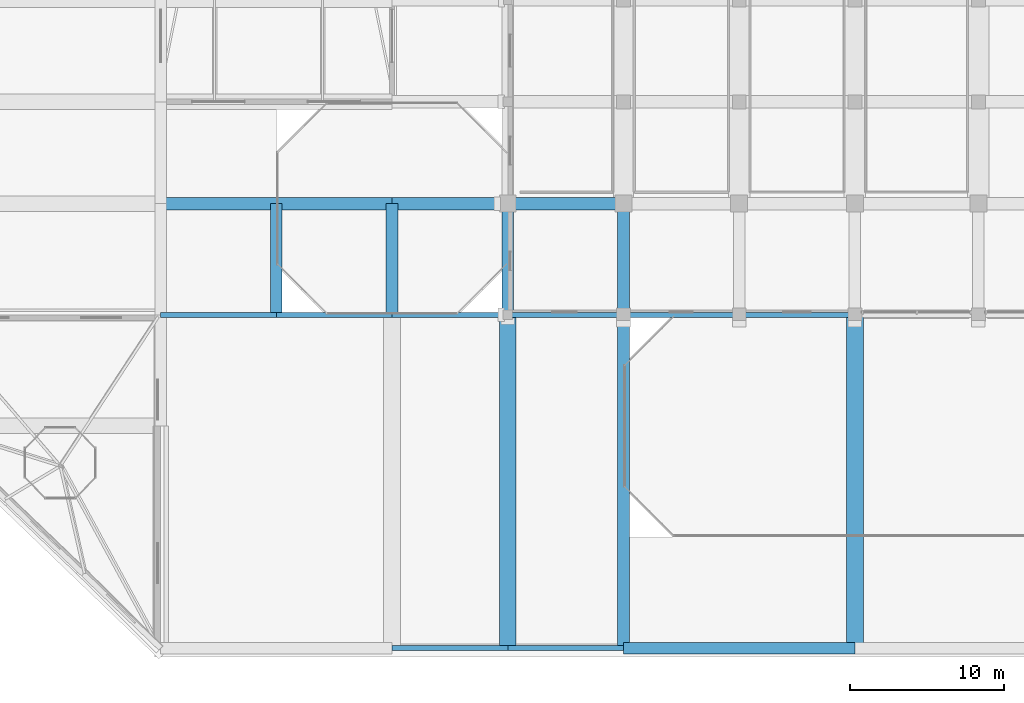
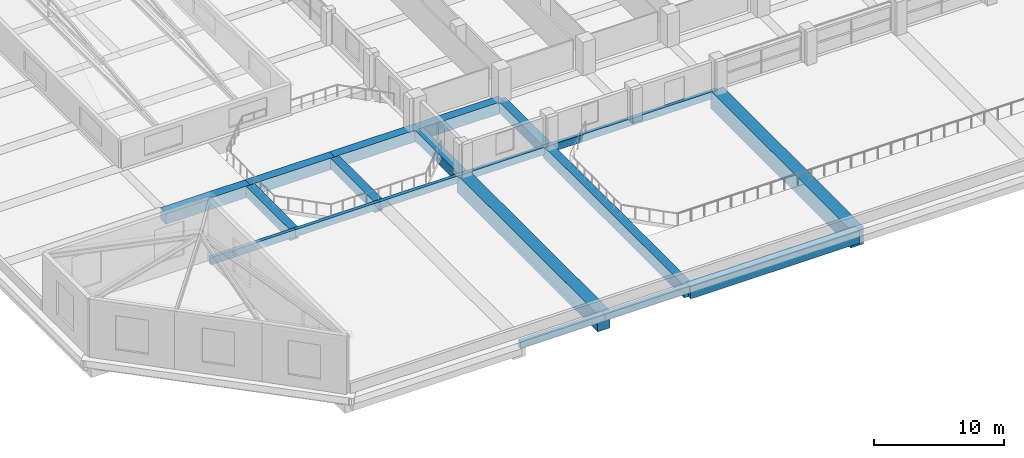
# One storey, part 2 of 49: 20 beams.
"""IFC4 building model written with IfcOpenShell, lengths in metres."""

from ifc_helpers import new_model, si_unit, direction, frame, origin, origin_2d, place, context, subcontext, project, spatial, rectangle, extrude, material, material_profile, profile_set, type_object, element, save


model = new_model("IFC4")

# Units and contexts
model_context = context("Model", 3, precision=1e-05, world=origin(), true_north=direction((0.0, 1.0)))
body_context = subcontext(model_context, "Body", "Model", "MODEL_VIEW")
ifc_project = project(units=[si_unit("LENGTHUNIT", "METRE"), si_unit("AREAUNIT", "SQUARE_METRE"), si_unit("VOLUMEUNIT", "CUBIC_METRE"), si_unit("PLANEANGLEUNIT", "RADIAN"), si_unit("MASSUNIT", "GRAM", prefix="KILO")], contexts=[model_context])

# Site, building, storey
site_placement = place(None, origin())
site = spatial("IfcSite", under=ifc_project, at=site_placement, CompositionType="ELEMENT")
building_placement = place(site_placement, origin())
building = spatial("IfcBuilding", under=site, at=building_placement, Name="Akrevak Sports Hall", CompositionType="ELEMENT")
storey_placement = place(building_placement, frame((0.0, 0.0, 24.14990234375)))
storey = spatial("IfcBuildingStorey", under=building, at=storey_placement, Name="L04", CompositionType="ELEMENT", Elevation=24.14990234375)

# Beams
ifc_material_1 = material(Name="Concrete C50/60", Category="concrete")
ifc_material_profile_1 = material_profile(ifc_material_1, rectangle(XDim=1.10009765625, YDim=1.64990234375, at=origin_2d()), Name="BM 1100x1650", Category="concrete")
ifc_profile_set_1 = profile_set([ifc_material_profile_1], Name="Concrete C50/60")
beam_type_1 = type_object("IfcBeamType", Name="STR-BM-LG1100x1650", PredefinedType="BEAM", material=ifc_profile_set_1)
for number, where, z_axis, x_axis, name in (
    (1, (37.5, 0.0, -0.824951171875), (0.0, 1.0, 0.0), (-1.0, 0.0, 0.0), "Girder 6/A-D (L04)"),
    (2, (60.0, 0.0, -0.824951171875), (0.0, 1.0, 0.0), (-1.0, 0.0, 0.0), "Girder 9/A-D (L04)"),
):
    element("IfcBeam", number, at=place(storey_placement, frame(where, z_axis=z_axis, x_axis=x_axis)), inside=storey, type_object=beam_type_1, Name=name, PredefinedType="BEAM", context=body_context, shape_type="SweptSolid", body=[
        extrude(rectangle(XDim=1.10009765625, YDim=1.64990234375, at=origin_2d()), origin(), (0.0, 0.0, 1.0), 21.60009765625),
    ])
ifc_material_profile_2 = material_profile(ifc_material_1, rectangle(XDim=0.75, YDim=1.0, at=origin_2d()), Name="BM 750x1000", Category="concrete")
ifc_profile_set_2 = profile_set([ifc_material_profile_2], Name="Concrete C50/60")
beam_type_2 = type_object("IfcBeamType", Name="STR-BM-RC750x1000", PredefinedType="BEAM", material=ifc_profile_set_2)
for number, where, z_axis, x_axis, name in (
    (3, (22.5, 21.60009765625, -0.5), (0.0, 1.0, 0.0), (-1.0, 0.0, 0.0), "Girder 4/D-E (L04)"),
    (4, (30.0, 21.60009765625, -0.5), (0.0, 1.0, 0.0), (-1.0, 0.0, 0.0), "Girder 5/D-E (L04)"),
    (5, (37.5, 21.60009765625, -0.5), (0.0, 1.0, 0.0), (-1.0, 0.0, 0.0), "Girder 6/D-E (L04)"),
    (6, (45.0, 21.60009765625, -0.5), (0.0, 1.0, 0.0), (-1.0, 0.0, 0.0), "Girder 7/D-E (L04)"),
):
    element("IfcBeam", number, at=place(storey_placement, frame(where, z_axis=z_axis, x_axis=x_axis)), inside=storey, type_object=beam_type_2, Name=name, PredefinedType="BEAM", context=body_context, shape_type="SweptSolid", body=[
        extrude(rectangle(XDim=0.75, YDim=1.0, at=origin_2d()), origin(), (0.0, 0.0, 1.0), 7.199951171875),
    ])
ifc_material_profile_3 = material_profile(ifc_material_1, rectangle(XDim=0.800048828125, YDim=1.10009765625, at=origin_2d()), Name="BM 800x1100", Category="concrete")
ifc_profile_set_3 = profile_set([ifc_material_profile_3], Name="Concrete C50/60")
beam_type_3 = type_object("IfcBeamType", Name="STR-BM-RC800x1100", PredefinedType="BEAM", material=ifc_profile_set_3)
for number, where, z_axis, x_axis, name in (
    (7, (15.0, 28.800048828125, -0.5498046875), (1.0, 0.0, 0.0), (0.0, 1.0, 0.0), "Girder E/3-4 (L04)"),
    (8, (22.5, 28.800048828125, -0.5498046875), (1.0, 0.0, 0.0), (0.0, 1.0, 0.0), "Girder E/4-5 (L04)"),
    (9, (30.0, 28.800048828125, -0.5498046875), (1.0, 0.0, 0.0), (0.0, 1.0, 0.0), "Girder E/5-6 (L04)"),
    (10, (37.5, 28.800048828125, -0.5498046875), (1.0, 0.0, 0.0), (0.0, 1.0, 0.0), "Girder E/6-7 (L04)"),
):
    element("IfcBeam", number, at=place(storey_placement, frame(where, z_axis=z_axis, x_axis=x_axis)), inside=storey, type_object=beam_type_3, Name=name, PredefinedType="BEAM", context=body_context, shape_type="SweptSolid", body=[
        extrude(rectangle(XDim=0.800048828125, YDim=1.10009765625, at=origin_2d()), origin(), (0.0, 0.0, 1.0), 7.5),
    ])
ifc_material_profile_4 = material_profile(ifc_material_1, rectangle(XDim=0.75, YDim=1.14990234375, at=origin_2d()), Name="SPD 750x1150", Category="concrete")
ifc_profile_set_4 = profile_set([ifc_material_profile_4], Name="Concrete C50/60")
beam_type_4 = type_object("IfcBeamType", Name="STR-SPD-LSP750x1150", PredefinedType="SPANDREL", material=ifc_profile_set_4)
beam_1_placement = place(storey_placement, frame((45.0, 0.0, -0.574951171875), z_axis=(1.0, 0.0, 0.0), x_axis=(0.0, 1.0, 0.0)))
element("IfcBeam", 11, at=beam_1_placement, inside=storey, type_object=beam_type_4, Name="Girder A/7-9 (L04)", PredefinedType="SPANDREL", context=body_context, shape_type="SweptSolid", body=[
    extrude(rectangle(XDim=0.75, YDim=1.14990234375, at=origin_2d()), origin(), (0.0, 0.0, 1.0), 15.0),
])
beam_2_placement = place(storey_placement, frame((45.0, 0.0, -0.574951171875), z_axis=(0.0, 1.0, 0.0), x_axis=(-1.0, 0.0, 0.0)))
element("IfcBeam", 12, at=beam_2_placement, inside=storey, type_object=beam_type_4, Name="Girder 7/A-D (L04)", PredefinedType="SPANDREL", context=body_context, shape_type="SweptSolid", body=[
    extrude(rectangle(XDim=0.75, YDim=1.14990234375, at=origin_2d()), origin(), (0.0, 0.0, 1.0), 21.60009765625),
])
ifc_material_2 = material(Name="Concrete C40/50", Category="concrete")
ifc_material_profile_5 = material_profile(ifc_material_2, rectangle(XDim=0.320068359375, YDim=0.679931640625, at=origin_2d()), Name="SPD 320x680", Category="concrete")
ifc_profile_set_5 = profile_set([ifc_material_profile_5], Name="Concrete C40/50")
beam_type_5 = type_object("IfcBeamType", Name="STR-SPD-RC320x680", PredefinedType="SPANDREL", material=ifc_profile_set_5)
for number, where, z_axis, x_axis, name in (
    (13, (30.0, 0.0, -0.33984375), (1.0, 0.0, 0.0), (0.0, 1.0, 0.0), "Girder A/5-6 (L04)"),
    (14, (37.5, 0.0, -0.33984375), (1.0, 0.0, 0.0), (0.0, 1.0, 0.0), "Girder A/6-7 (L04)"),
    (15, (15.0, 21.60009765625, -0.33984375), (1.0, 0.0, 0.0), (0.0, 1.0, 0.0), "Girder D/3-4 (L04)"),
    (16, (22.5, 21.60009765625, -0.33984375), (1.0, 0.0, 0.0), (0.0, 1.0, 0.0), "Girder D/4-5 (L04)"),
    (17, (30.0, 21.60009765625, -0.33984375), (1.0, 0.0, 0.0), (0.0, 1.0, 0.0), "Girder D/5-6 (L04)"),
    (18, (37.5, 21.60009765625, -0.33984375), (1.0, 0.0, 0.0), (0.0, 1.0, 0.0), "Girder D/6-7 (L04)"),
    (19, (45.0, 21.60009765625, -0.33984375), (1.0, 0.0, 0.0), (0.0, 1.0, 0.0), "Girder D/7-8 (L04)"),
    (20, (52.5, 21.60009765625, -0.33984375), (1.0, 0.0, 0.0), (0.0, 1.0, 0.0), "Girder D/8-9 (L04)"),
):
    element("IfcBeam", number, at=place(storey_placement, frame(where, z_axis=z_axis, x_axis=x_axis)), inside=storey, type_object=beam_type_5, Name=name, PredefinedType="SPANDREL", context=body_context, shape_type="SweptSolid", body=[
        extrude(rectangle(XDim=0.320068359375, YDim=0.679931640625, at=origin_2d()), origin(), (0.0, 0.0, 1.0), 7.5),
    ])

save(model, "model.ifc")
